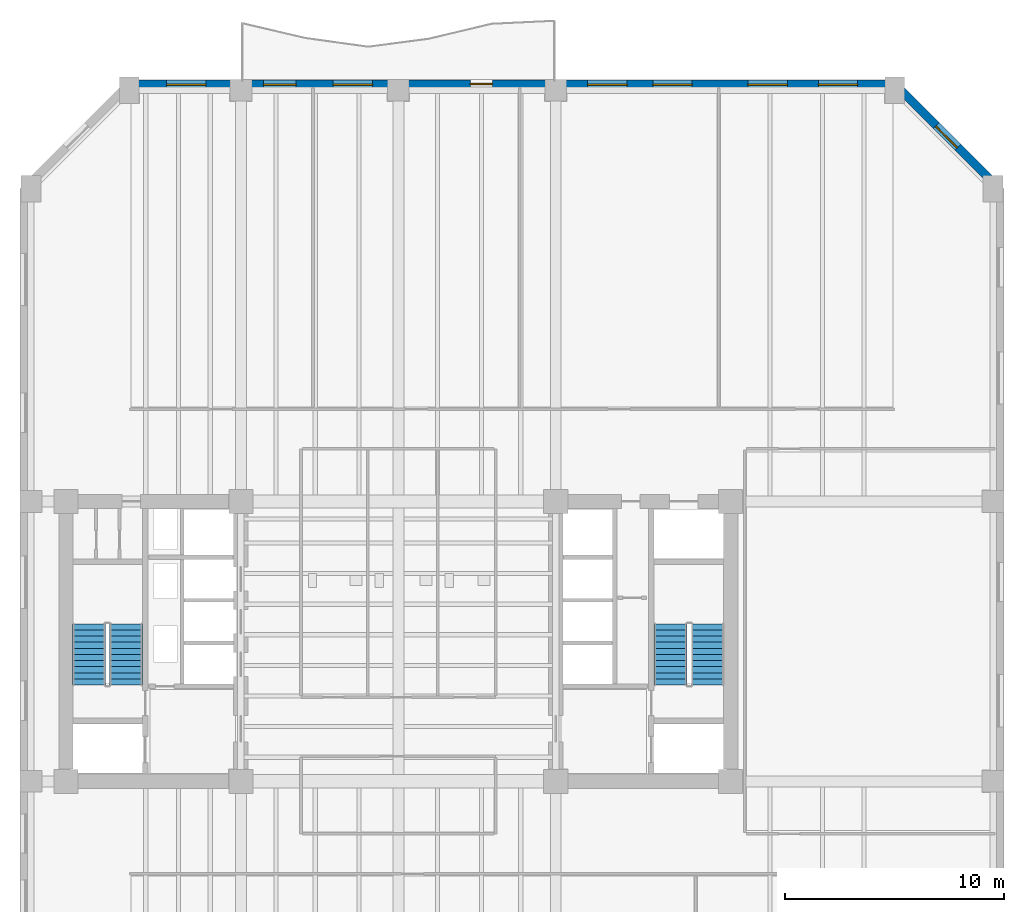
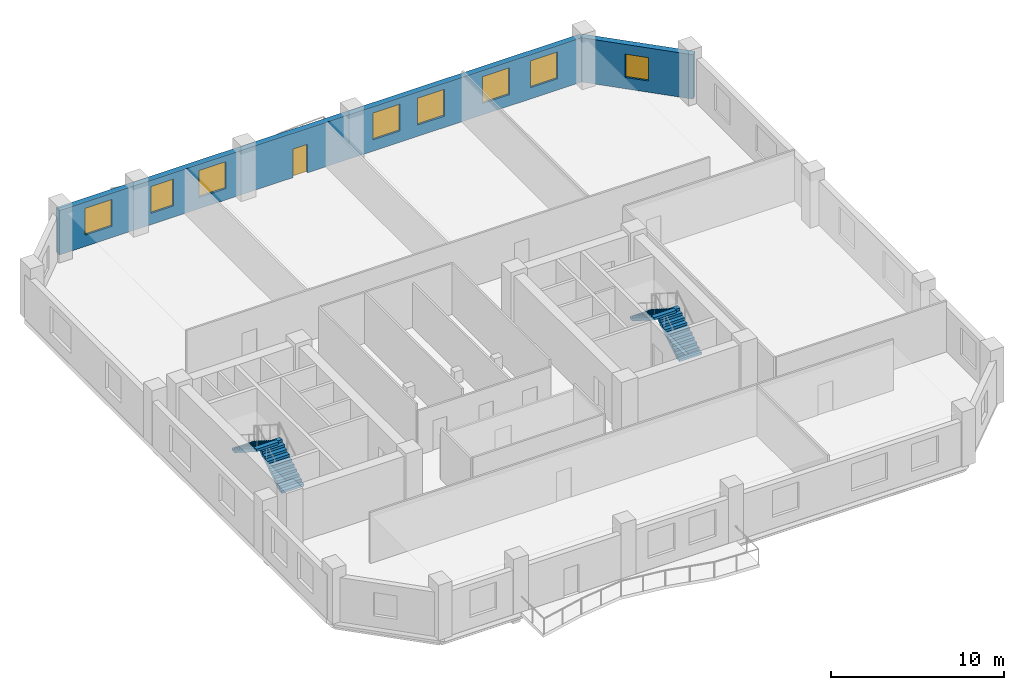
# One storey, part 5 of 8: 8 windows, 4 stair flights, 2 walls, 1 door, 9 openings, 2 elements without a shape of their own.
"""IFC4 building model written with IfcOpenShell, lengths in metres."""

from ifc_helpers import new_model, si_unit, direction, frame, frame_2d, origin, place, context, subcontext, project, spatial, polyline, rectangle, outline, extrude, material, layer, layer_set, type_object, element, fill, aggregate, save


model = new_model("IFC4")

# Units and contexts
model_context = context("Model", 3, precision=1e-05, world=origin(), true_north=direction((0.0, 1.0)))
body_context = subcontext(model_context, "Body", "Model", "MODEL_VIEW")
ifc_project = project(units=[si_unit("LENGTHUNIT", "METRE"), si_unit("AREAUNIT", "SQUARE_METRE"), si_unit("VOLUMEUNIT", "CUBIC_METRE"), si_unit("PLANEANGLEUNIT", "RADIAN"), si_unit("MASSUNIT", "GRAM", prefix="KILO")], contexts=[model_context])

# Site, building, storey
site_placement = place(None, origin())
site = spatial("IfcSite", under=ifc_project, at=site_placement, CompositionType="ELEMENT")
building_placement = place(site_placement, origin())
building = spatial("IfcBuilding", under=site, at=building_placement, Name="Kranthara Brick Stack", CompositionType="ELEMENT")
storey_placement = place(building_placement, frame((0.0, 0.0, 75.0)))
storey = spatial("IfcBuildingStorey", under=building, at=storey_placement, Name="L18", CompositionType="ELEMENT", Elevation=75.0)

# Wall, openings, door, windows
ifc_material_1 = material(Name="Kiln-fired clay brick masonry M15", Category="masonry")
ifc_layer = layer(ifc_material_1, 0.3798828125)
ifc_layer_set = layer_set([ifc_layer], Name="Kiln-fired clay brick masonry M15")
wall_type = type_object("IfcWallType", Name="WL-BRK-PIER-380", PredefinedType="STANDARD", material=ifc_layer_set)
wall_1_placement = place(storey_placement, frame((15.699951171875, 52.68994140625, 0.0), z_axis=(0.0, 0.0, 1.0), x_axis=(1.0, 0.0, 0.0)))
wall_1 = element("IfcWall", 1, at=wall_1_placement, inside=storey, type_object=wall_type, Name="L18 Exterior Brick Facade Wall NORTH 1", PredefinedType="STANDARD", context=body_context, shape_type="SweptSolid", body=[
    extrude(rectangle(XDim=35.0, YDim=0.3798828125, at=frame_2d((17.5, 0.0))), origin(), (0.0, 0.0, 1.0), 3.135009765625),
])
opening_1_placement = place(wall_1_placement, frame((15.60009765625, 0.0, 0.0)))
opening_1 = element("IfcOpeningElement", 2, at=opening_1_placement, cuts=wall_1, Name="Opening D03", PredefinedType="OPENING", context=body_context, shape_type="SweptSolid", body=[
    extrude(rectangle(XDim=1.0, YDim=2.02001953125, at=frame_2d((0.5, 1.010009765625))), frame((0.0, 0.199951171875, 0.0), z_axis=(0.0, -1.0, 0.0), x_axis=(1.0, 0.0, 0.0)), (0.0, 0.0, 1.0), 0.39990234375),
])
opening_2_placement = place(wall_1_placement, frame((1.699951171875, 0.0, 0.800048828125)))
opening_2 = element("IfcOpeningElement", 3, at=opening_2_placement, cuts=wall_1, Name="Opening WN01", PredefinedType="OPENING", context=body_context, shape_type="SweptSolid", body=[
    extrude(rectangle(XDim=1.800048828125, YDim=1.89990234375, at=frame_2d((0.89990234375, 0.949951171875))), frame((0.0, 0.199951171875, 0.0), z_axis=(0.0, -1.0, 0.0), x_axis=(1.0, 0.0, 0.0)), (0.0, 0.0, 1.0), 0.39990234375),
])
opening_3_placement = place(wall_1_placement, frame((6.125, 0.0, 0.800048828125)))
opening_3 = element("IfcOpeningElement", 4, at=opening_3_placement, cuts=wall_1, Name="Opening WN03", PredefinedType="OPENING", context=body_context, shape_type="SweptSolid", body=[
    extrude(rectangle(XDim=1.5, YDim=1.89990234375, at=frame_2d((0.75, 0.949951171875))), frame((0.0, 0.199951171875, 0.0), z_axis=(0.0, -1.0, 0.0), x_axis=(1.0, 0.0, 0.0)), (0.0, 0.0, 1.0), 0.39990234375),
])
opening_4_placement = place(wall_1_placement, frame((9.324951171875, 0.0, 0.800048828125)))
opening_4 = element("IfcOpeningElement", 5, at=opening_4_placement, cuts=wall_1, Name="Opening WN01", PredefinedType="OPENING", context=body_context, shape_type="SweptSolid", body=[
    extrude(rectangle(XDim=1.800048828125, YDim=1.89990234375, at=frame_2d((0.89990234375, 0.949951171875))), frame((0.0, 0.199951171875, 0.0), z_axis=(0.0, -1.0, 0.0), x_axis=(1.0, 0.0, 0.0)), (0.0, 0.0, 1.0), 0.39990234375),
])
opening_5_placement = place(wall_1_placement, frame((20.9619140625, 0.0, 0.800048828125)))
opening_5 = element("IfcOpeningElement", 6, at=opening_5_placement, cuts=wall_1, Name="Opening WN01", PredefinedType="OPENING", context=body_context, shape_type="SweptSolid", body=[
    extrude(rectangle(XDim=1.800048828125, YDim=1.89990234375, at=frame_2d((0.89990234375, 0.949951171875))), frame((0.0, 0.199951171875, 0.0), z_axis=(0.0, -1.0, 0.0), x_axis=(1.0, 0.0, 0.0)), (0.0, 0.0, 1.0), 0.39990234375),
])
opening_6_placement = place(wall_1_placement, frame((23.93798828125, 0.0, 0.800048828125)))
opening_6 = element("IfcOpeningElement", 7, at=opening_6_placement, cuts=wall_1, Name="Opening WN01", PredefinedType="OPENING", context=body_context, shape_type="SweptSolid", body=[
    extrude(rectangle(XDim=1.800048828125, YDim=1.89990234375, at=frame_2d((0.89990234375, 0.949951171875))), frame((0.0, 0.199951171875, 0.0), z_axis=(0.0, -1.0, 0.0), x_axis=(1.0, 0.0, 0.0)), (0.0, 0.0, 1.0), 0.39990234375),
])
opening_7_placement = place(wall_1_placement, frame((28.2919921875, 0.0, 0.800048828125)))
opening_7 = element("IfcOpeningElement", 8, at=opening_7_placement, cuts=wall_1, Name="Opening WN01", PredefinedType="OPENING", context=body_context, shape_type="SweptSolid", body=[
    extrude(rectangle(XDim=1.800048828125, YDim=1.89990234375, at=frame_2d((0.89990234375, 0.949951171875))), frame((0.0, 0.199951171875, 0.0), z_axis=(0.0, -1.0, 0.0), x_axis=(1.0, 0.0, 0.0)), (0.0, 0.0, 1.0), 0.39990234375),
])
opening_8_placement = place(wall_1_placement, frame((31.508056640625, 0.0, 0.800048828125)))
opening_8 = element("IfcOpeningElement", 9, at=opening_8_placement, cuts=wall_1, Name="Opening WN01", PredefinedType="OPENING", context=body_context, shape_type="SweptSolid", body=[
    extrude(rectangle(XDim=1.800048828125, YDim=1.89990234375, at=frame_2d((0.89990234375, 0.949951171875))), frame((0.0, 0.199951171875, 0.0), z_axis=(0.0, -1.0, 0.0), x_axis=(1.0, 0.0, 0.0)), (0.0, 0.0, 1.0), 0.39990234375),
])
ifc_material_2 = material(Name="Bronze anodised aluminium and laminated glass", Category="aluminium")
door_type = type_object("IfcDoorType", Name="DR-BALC-1000", OperationType="NOTDEFINED", PredefinedType="DOOR", material=ifc_material_2)
door_placement = place(opening_1_placement, origin())
door = element("IfcDoor", 10, at=door_placement, inside=storey, type_object=door_type, Name="L18 North Balcony Terrace Door", OperationType="SINGLE_SWING_RIGHT", OverallHeight=2.02001953125, OverallWidth=1.0, PredefinedType="DOOR", context=body_context, shape_type="SweptSolid", body=[
    extrude(rectangle(XDim=1.0, YDim=2.02001953125, at=frame_2d((0.5, 1.010009765625))), frame((0.0, 0.02490234375, 0.0), z_axis=(0.0, -1.0, 0.0), x_axis=(1.0, 0.0, 0.0)), (0.0, 0.0, 1.0), 0.050048828125),
])
fill(opening_1, door)
ifc_material_3 = material(Name="Double-glazed low-E solar control glass", Category="glass")
window_type_1 = type_object("IfcWindowType", Name="WN-OFF-1500x2000", PartitioningType="SINGLE_PANEL", PredefinedType="WINDOW", material=ifc_material_3)
window_1_placement = place(opening_3_placement, origin())
window_1 = element("IfcWindow", 11, at=window_1_placement, inside=storey, type_object=window_type_1, Name="L18 North Deep-Set Brick Window 02", OverallHeight=1.89990234375, OverallWidth=1.5, PartitioningType="SINGLE_PANEL", PredefinedType="WINDOW", context=body_context, shape_type="SweptSolid", body=[
    extrude(rectangle(XDim=1.5, YDim=1.89990234375, at=frame_2d((0.75, 0.949951171875))), frame((0.0, -0.010009765625, 0.0), z_axis=(0.0, -1.0, 0.0), x_axis=(1.0, 0.0, 0.0)), (0.0, 0.0, 1.0), 0.06005859375),
])
fill(opening_3, window_1)
ifc_material_4 = material(Name="Double-glazed low-E solar control glass", Category="glass")
window_type_2 = type_object("IfcWindowType", Name="WN-OFF-1800x2000", PartitioningType="SINGLE_PANEL", PredefinedType="WINDOW", material=ifc_material_4)
window_2_placement = place(opening_2_placement, origin())
window_2 = element("IfcWindow", 12, at=window_2_placement, inside=storey, type_object=window_type_2, Name="L18 North Deep-Set Brick Window 01", OverallHeight=1.89990234375, OverallWidth=1.800048828125, PartitioningType="SINGLE_PANEL", PredefinedType="WINDOW", context=body_context, shape_type="SweptSolid", body=[
    extrude(rectangle(XDim=1.800048828125, YDim=1.89990234375, at=frame_2d((0.89990234375, 0.949951171875))), frame((0.0, -0.010009765625, 0.0), z_axis=(0.0, -1.0, 0.0), x_axis=(1.0, 0.0, 0.0)), (0.0, 0.0, 1.0), 0.06005859375),
])
fill(opening_2, window_2)
window_3_placement = place(opening_4_placement, origin())
window_3 = element("IfcWindow", 13, at=window_3_placement, inside=storey, type_object=window_type_2, Name="L18 North Deep-Set Brick Window 03", OverallHeight=1.89990234375, OverallWidth=1.800048828125, PartitioningType="SINGLE_PANEL", PredefinedType="WINDOW", context=body_context, shape_type="SweptSolid", body=[
    extrude(rectangle(XDim=1.800048828125, YDim=1.89990234375, at=frame_2d((0.89990234375, 0.949951171875))), frame((0.0, -0.010009765625, 0.0), z_axis=(0.0, -1.0, 0.0), x_axis=(1.0, 0.0, 0.0)), (0.0, 0.0, 1.0), 0.06005859375),
])
fill(opening_4, window_3)
window_4_placement = place(opening_5_placement, origin())
window_4 = element("IfcWindow", 14, at=window_4_placement, inside=storey, type_object=window_type_2, Name="L18 North Deep-Set Brick Window 04", OverallHeight=1.89990234375, OverallWidth=1.800048828125, PartitioningType="SINGLE_PANEL", PredefinedType="WINDOW", context=body_context, shape_type="SweptSolid", body=[
    extrude(rectangle(XDim=1.800048828125, YDim=1.89990234375, at=frame_2d((0.89990234375, 0.949951171875))), frame((0.0, -0.010009765625, 0.0), z_axis=(0.0, -1.0, 0.0), x_axis=(1.0, 0.0, 0.0)), (0.0, 0.0, 1.0), 0.06005859375),
])
fill(opening_5, window_4)
window_5_placement = place(opening_6_placement, origin())
window_5 = element("IfcWindow", 15, at=window_5_placement, inside=storey, type_object=window_type_2, Name="L18 North Deep-Set Brick Window 05", OverallHeight=1.89990234375, OverallWidth=1.800048828125, PartitioningType="SINGLE_PANEL", PredefinedType="WINDOW", context=body_context, shape_type="SweptSolid", body=[
    extrude(rectangle(XDim=1.800048828125, YDim=1.89990234375, at=frame_2d((0.89990234375, 0.949951171875))), frame((0.0, -0.010009765625, 0.0), z_axis=(0.0, -1.0, 0.0), x_axis=(1.0, 0.0, 0.0)), (0.0, 0.0, 1.0), 0.06005859375),
])
fill(opening_6, window_5)
window_6_placement = place(opening_7_placement, origin())
window_6 = element("IfcWindow", 16, at=window_6_placement, inside=storey, type_object=window_type_2, Name="L18 North Deep-Set Brick Window 06", OverallHeight=1.89990234375, OverallWidth=1.800048828125, PartitioningType="SINGLE_PANEL", PredefinedType="WINDOW", context=body_context, shape_type="SweptSolid", body=[
    extrude(rectangle(XDim=1.800048828125, YDim=1.89990234375, at=frame_2d((0.89990234375, 0.949951171875))), frame((0.0, -0.010009765625, 0.0), z_axis=(0.0, -1.0, 0.0), x_axis=(1.0, 0.0, 0.0)), (0.0, 0.0, 1.0), 0.06005859375),
])
fill(opening_7, window_6)
window_7_placement = place(opening_8_placement, origin())
window_7 = element("IfcWindow", 17, at=window_7_placement, inside=storey, type_object=window_type_2, Name="L18 North Deep-Set Brick Window 07", OverallHeight=1.89990234375, OverallWidth=1.800048828125, PartitioningType="SINGLE_PANEL", PredefinedType="WINDOW", context=body_context, shape_type="SweptSolid", body=[
    extrude(rectangle(XDim=1.800048828125, YDim=1.89990234375, at=frame_2d((0.89990234375, 0.949951171875))), frame((0.0, -0.010009765625, 0.0), z_axis=(0.0, -1.0, 0.0), x_axis=(1.0, 0.0, 0.0)), (0.0, 0.0, 1.0), 0.06005859375),
])
fill(opening_8, window_7)

# Wall, opening, window
wall_2_placement = place(storey_placement, frame((50.699951171875, 52.68994140625, 0.0), z_axis=(0.0, 0.0, 1.0), x_axis=(0.707106781187, -0.707106781187, 0.0)))
wall_2 = element("IfcWall", 18, at=wall_2_placement, inside=storey, type_object=wall_type, Name="L18 Exterior Brick Facade Wall NE 1", PredefinedType="STANDARD", context=body_context, shape_type="SweptSolid", body=[
    extrude(rectangle(XDim=6.774169921875, YDim=0.3798828125, at=frame_2d((3.38720703125, 0.0))), origin(), (0.0, 0.0, 1.0), 3.135009765625),
])
opening_9_placement = place(wall_2_placement, frame((2.68701171875, 0.0, 0.800048828125)))
opening_9 = element("IfcOpeningElement", 19, at=opening_9_placement, cuts=wall_2, Name="Opening WN10", PredefinedType="OPENING", context=body_context, shape_type="SweptSolid", body=[
    extrude(rectangle(XDim=1.39990234375, YDim=1.64990234375, at=frame_2d((0.699951171875, 0.824951171875))), frame((0.0, 0.199951171875, 0.0), z_axis=(0.0, -1.0, 0.0), x_axis=(1.0, 0.0, 0.0)), (0.0, 0.0, 1.0), 0.39990234375),
])
ifc_material_5 = material(Name="Double-glazed low-E solar control glass", Category="glass")
window_type_3 = type_object("IfcWindowType", Name="WN-CHM-1400x1750", PartitioningType="SINGLE_PANEL", PredefinedType="WINDOW", material=ifc_material_5)
window_8_placement = place(opening_9_placement, origin())
window_8 = element("IfcWindow", 20, at=window_8_placement, inside=storey, type_object=window_type_3, Name="L18 NE Chamfer Corner Window", OverallHeight=1.64990234375, OverallWidth=1.39990234375, PartitioningType="SINGLE_PANEL", PredefinedType="WINDOW", context=body_context, shape_type="SweptSolid", body=[
    extrude(rectangle(XDim=1.39990234375, YDim=1.64990234375, at=frame_2d((0.699951171875, 0.824951171875))), frame((0.0, -0.010009765625, 0.0), z_axis=(0.0, -1.0, 0.0), x_axis=(1.0, 0.0, 0.0)), (0.0, 0.0, 1.0), 0.06005859375),
])
fill(opening_9, window_8)

# Stair, stair flights
ifc_material_6 = material(Name="Concrete C45/55", Category="concrete")
stair_type = type_object("IfcStairType", Name="ST-CORE-22R", PredefinedType="HALF_TURN_STAIR", material=ifc_material_6)
stair_1_placement = place(storey_placement, origin())
stair_1 = element("IfcStair", 21, at=stair_1_placement, inside=storey, type_object=stair_type, Name="L18 West Core Protected Exit Stair ST01", PredefinedType="HALF_TURN_STAIR")
ifc_material_7 = material(Name="Concrete C45/55", Category="concrete")
stair_flight_type = type_object("IfcStairFlightType", Name="SFL-RC-22R", PredefinedType="STRAIGHT", material=ifc_material_7)
stair_flight_1_placement = place(storey_placement, frame((15.550048828125, 25.199951171875, 0.0), z_axis=(0.0, 0.0, 1.0), x_axis=(0.0, 1.0, 0.0)))
stair_flight_1 = element("IfcStairFlight", 22, at=stair_flight_1_placement, type_object=stair_flight_type, Name="ST01 flight 1", NumberOfRisers=11, NumberOfTreads=10, PredefinedType="STRAIGHT", RiserHeight=0.177272727, TreadLength=0.28, context=body_context, shape_type="SweptSolid", body=[
    extrude(outline(polyline([(0.0, 0.0), (0.0, 0.17724609375), (0.280029296875, 0.17724609375), (0.280029296875, 0.3544921875), (0.56005859375, 0.3544921875), (0.56005859375, 0.53173828125), (0.840087890625, 0.53173828125), (0.840087890625, 0.708984375), (1.1201171875, 0.708984375), (1.1201171875, 0.886474609375), (1.39990234375, 0.886474609375), (1.39990234375, 1.063720703125), (1.679931640625, 1.063720703125), (1.679931640625, 1.240966796875), (1.9599609375, 1.240966796875), (1.9599609375, 1.418212890625), (2.239990234375, 1.418212890625), (2.239990234375, 1.595458984375), (2.52001953125, 1.595458984375), (2.52001953125, 1.772705078125), (2.800048828125, 1.772705078125), (2.800048828125, 1.949951171875), (2.800048828125, 1.59521484375), (0.2802734375, 0.0), (0.0, 0.0)])), frame((0.0, 0.75, 0.0), z_axis=(0.0, -1.0, 0.0), x_axis=(1.0, 0.0, 0.0)), (0.0, 0.0, 1.0), 1.5),
])
stair_flight_2_placement = place(storey_placement, frame((13.85009765625, 28.0, 1.949951171875), z_axis=(0.0, 0.0, 1.0), x_axis=(0.0, -1.0, 0.0)))
stair_flight_2 = element("IfcStairFlight", 23, at=stair_flight_2_placement, type_object=stair_flight_type, Name="ST01 flight 2", NumberOfRisers=11, NumberOfTreads=10, PredefinedType="STRAIGHT", RiserHeight=0.177272727, TreadLength=0.28, context=body_context, shape_type="SweptSolid", body=[
    extrude(outline(polyline([(0.0, 0.0), (0.0, 0.17724609375), (0.280029296875, 0.17724609375), (0.280029296875, 0.3544921875), (0.56005859375, 0.3544921875), (0.56005859375, 0.53173828125), (0.840087890625, 0.53173828125), (0.840087890625, 0.708984375), (1.1201171875, 0.708984375), (1.1201171875, 0.886474609375), (1.39990234375, 0.886474609375), (1.39990234375, 1.063720703125), (1.679931640625, 1.063720703125), (1.679931640625, 1.240966796875), (1.9599609375, 1.240966796875), (1.9599609375, 1.418212890625), (2.239990234375, 1.418212890625), (2.239990234375, 1.595458984375), (2.52001953125, 1.595458984375), (2.52001953125, 1.772705078125), (2.800048828125, 1.772705078125), (2.800048828125, 1.949951171875), (2.800048828125, 1.59521484375), (0.2802734375, 0.0), (0.0, 0.0)])), frame((0.0, 0.75, 0.0), z_axis=(0.0, -1.0, 0.0), x_axis=(1.0, 0.0, 0.0)), (0.0, 0.0, 1.0), 1.5),
])
aggregate(stair_1, [stair_flight_1, stair_flight_2])

stair_2_placement = place(storey_placement, origin())
stair_2 = element("IfcStair", 24, at=stair_2_placement, inside=storey, type_object=stair_type, Name="L18 East Core Protected Exit Stair ST02", PredefinedType="HALF_TURN_STAIR")
stair_flight_3_placement = place(storey_placement, frame((42.14990234375, 25.199951171875, 0.0), z_axis=(0.0, 0.0, 1.0), x_axis=(0.0, 1.0, 0.0)))
stair_flight_3 = element("IfcStairFlight", 25, at=stair_flight_3_placement, type_object=stair_flight_type, Name="ST02 flight 1", NumberOfRisers=11, NumberOfTreads=10, PredefinedType="STRAIGHT", RiserHeight=0.177272727, TreadLength=0.28, context=body_context, shape_type="SweptSolid", body=[
    extrude(outline(polyline([(0.0, 0.0), (0.0, 0.17724609375), (0.280029296875, 0.17724609375), (0.280029296875, 0.3544921875), (0.56005859375, 0.3544921875), (0.56005859375, 0.53173828125), (0.840087890625, 0.53173828125), (0.840087890625, 0.708984375), (1.1201171875, 0.708984375), (1.1201171875, 0.886474609375), (1.39990234375, 0.886474609375), (1.39990234375, 1.063720703125), (1.679931640625, 1.063720703125), (1.679931640625, 1.240966796875), (1.9599609375, 1.240966796875), (1.9599609375, 1.418212890625), (2.239990234375, 1.418212890625), (2.239990234375, 1.595458984375), (2.52001953125, 1.595458984375), (2.52001953125, 1.772705078125), (2.800048828125, 1.772705078125), (2.800048828125, 1.949951171875), (2.800048828125, 1.59521484375), (0.2802734375, 0.0), (0.0, 0.0)])), frame((0.0, 0.75, 0.0), z_axis=(0.0, -1.0, 0.0), x_axis=(1.0, 0.0, 0.0)), (0.0, 0.0, 1.0), 1.5),
])
stair_flight_4_placement = place(storey_placement, frame((40.449951171875, 28.0, 1.949951171875), z_axis=(0.0, 0.0, 1.0), x_axis=(0.0, -1.0, 0.0)))
stair_flight_4 = element("IfcStairFlight", 26, at=stair_flight_4_placement, type_object=stair_flight_type, Name="ST02 flight 2", NumberOfRisers=11, NumberOfTreads=10, PredefinedType="STRAIGHT", RiserHeight=0.177272727, TreadLength=0.28, context=body_context, shape_type="SweptSolid", body=[
    extrude(outline(polyline([(0.0, 0.0), (0.0, 0.17724609375), (0.280029296875, 0.17724609375), (0.280029296875, 0.3544921875), (0.56005859375, 0.3544921875), (0.56005859375, 0.53173828125), (0.840087890625, 0.53173828125), (0.840087890625, 0.708984375), (1.1201171875, 0.708984375), (1.1201171875, 0.886474609375), (1.39990234375, 0.886474609375), (1.39990234375, 1.063720703125), (1.679931640625, 1.063720703125), (1.679931640625, 1.240966796875), (1.9599609375, 1.240966796875), (1.9599609375, 1.418212890625), (2.239990234375, 1.418212890625), (2.239990234375, 1.595458984375), (2.52001953125, 1.595458984375), (2.52001953125, 1.772705078125), (2.800048828125, 1.772705078125), (2.800048828125, 1.949951171875), (2.800048828125, 1.59521484375), (0.2802734375, 0.0), (0.0, 0.0)])), frame((0.0, 0.75, 0.0), z_axis=(0.0, -1.0, 0.0), x_axis=(1.0, 0.0, 0.0)), (0.0, 0.0, 1.0), 1.5),
])
aggregate(stair_2, [stair_flight_3, stair_flight_4])

save(model, "model.ifc")
